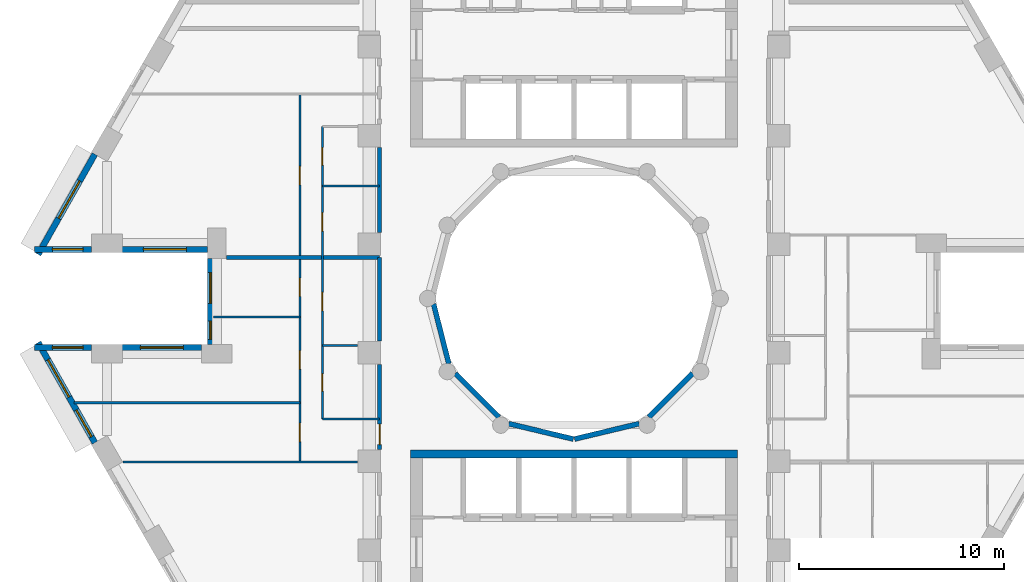
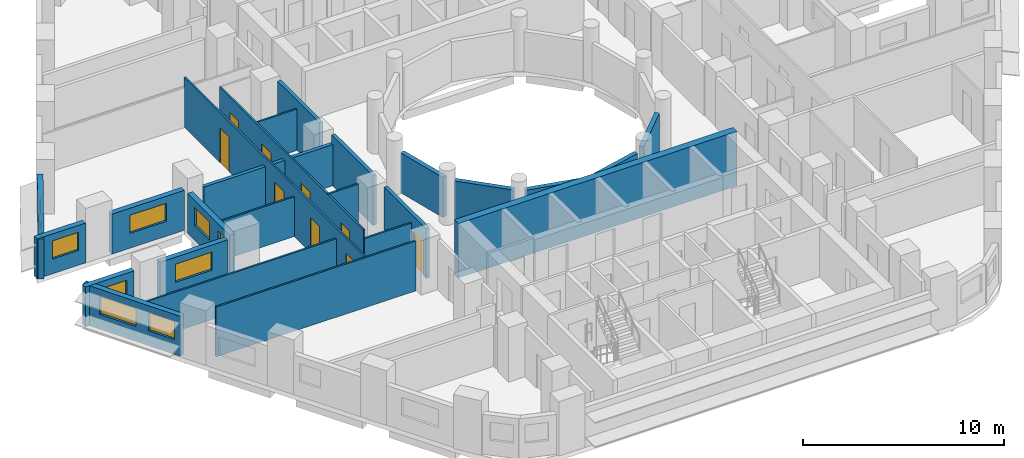
# One storey, part 4 of 12: 25 walls, 9 doors, 9 windows, 18 openings.
"""IFC4 building model written with IfcOpenShell, lengths in metres."""

import ifcopenshell
import ifcopenshell.guid

model = None  # the IFC model being written
_history = None  # IfcOwnerHistory: only IFC2X3 demands one
_inside = {}  # id of a spatial element -> (the spatial element, [elements in it])
_under = {}  # id of a project, library or spatial element -> (it, [spatial elements below it])
_declared = {}  # id of a project -> (the project, [libraries it declares])
_typed = {}  # id of a type object -> (the type object, [elements of that type])
_made_of = {}  # id of a material, layer set ... -> (it, [elements and type objects made of it])


def new_model(schema):
    """Start an empty IFC model of exactly this schema.

    Asked for "IFC4X3", IfcOpenShell would pick the latest addendum, in which some entities
    have other attributes; the version numbers below select the first issue.
    IFC2X3 requires an IfcOwnerHistory on every rooted entity: one is made here for all.
    """
    global model, _history
    if schema == "IFC4X3":
        model = ifcopenshell.file(schema_version=(4, 3, 0, 0))
    else:
        model = ifcopenshell.file(schema=schema)
    _inside.clear()
    _under.clear()
    _declared.clear()
    _typed.clear()
    _made_of.clear()
    _history = None
    if model.schema == "IFC2X3":
        org = make("IfcOrganization", Name="unknown")
        user = make(
            "IfcPersonAndOrganization",
            ThePerson=make("IfcPerson", FamilyName="unknown"),
            TheOrganization=org,
        )
        app = make(
            "IfcApplication",
            ApplicationDeveloper=org,
            Version="unknown",
            ApplicationFullName="unknown",
            ApplicationIdentifier="unknown",
        )
        _history = make(
            "IfcOwnerHistory",
            OwningUser=user,
            OwningApplication=app,
            ChangeAction="ADDED",
            CreationDate=0,
        )
    return model


def make(cls, **values):
    """One entity of the class cls with the attributes given. An attribute that is None is left unset."""
    return model.create_entity(
        cls, **{name: value for name, value in values.items() if value is not None}
    )


def rooted(cls, **values):
    """An entity with a GlobalId (a new one), such as an element, a storey or a relation."""
    return make(cls, GlobalId=ifcopenshell.guid.new(), OwnerHistory=_history, **values)


def si_unit(unit_type, name, prefix=None):
    """IfcSIUnit, for example si_unit("LENGTHUNIT", "METRE", prefix="MILLI")."""
    return make("IfcSIUnit", UnitType=unit_type, Prefix=prefix, Name=name)


def assignment(units):
    """IfcUnitAssignment: the units of a project."""
    return None if units is None else make("IfcUnitAssignment", Units=units)


def point(xyz):
    """IfcCartesianPoint."""
    return None if xyz is None else make("IfcCartesianPoint", Coordinates=xyz)


def direction(xyz):
    """IfcDirection."""
    return None if xyz is None else make("IfcDirection", DirectionRatios=xyz)


def frame(location, z_axis=None, x_axis=None):
    """IfcAxis2Placement3D, a coordinate frame: its origin and axes. An axis left out is left unset."""
    return make(
        "IfcAxis2Placement3D",
        Location=point(location),
        Axis=direction(z_axis),
        RefDirection=direction(x_axis),
    )


def frame_2d(location, x_axis=None):
    """IfcAxis2Placement2D, a coordinate frame in the plane: its origin and x axis."""
    return make(
        "IfcAxis2Placement2D", Location=point(location), RefDirection=direction(x_axis)
    )


def origin():
    """The frame at (0, 0, 0) with its axes left unset."""
    return frame((0.0, 0.0, 0.0))


def place(relative_to, where):
    """IfcLocalPlacement: puts the frame where relative to a parent placement (None: the world)."""
    return make(
        "IfcLocalPlacement", PlacementRelTo=relative_to, RelativePlacement=where
    )


def context(
    kind, dimensions, precision=None, world=None, true_north=None, identifier=None
):
    """IfcGeometricRepresentationContext, for example the 3D "Model" context."""
    return make(
        "IfcGeometricRepresentationContext",
        ContextIdentifier=identifier,
        ContextType=kind,
        CoordinateSpaceDimension=dimensions,
        Precision=precision,
        WorldCoordinateSystem=world,
        TrueNorth=true_north,
    )


def subcontext(parent, identifier, kind, view, scale=None):
    """IfcGeometricRepresentationSubContext, for example "Body" below "Model"."""
    return make(
        "IfcGeometricRepresentationSubContext",
        ContextIdentifier=identifier,
        ContextType=kind,
        ParentContext=parent,
        TargetScale=scale,
        TargetView=view,
    )


def project(units=None, contexts=None):
    """IfcProject with its units and contexts."""
    return rooted(
        "IfcProject",
        Name="project",
        RepresentationContexts=contexts,
        UnitsInContext=assignment(units),
    )


def spatial(cls, under=None, at=None, **own):
    """A site, building, storey or space (cls), placed at a placement, below another one or the project."""
    s = rooted(cls, ObjectPlacement=at, **own)
    if under is not None:
        _under.setdefault(under.id(), (under, []))[1].append(s)
    return s


def profile(cls, at=None, kind="AREA", **sizes):
    """A parametric profile (cls). Its sizes go by their IFC names, for example OverallWidth=200.0."""
    return make(cls, ProfileType=kind, Position=at, **sizes)


def rectangle(**sizes):
    """IfcRectangleProfileDef."""
    return profile("IfcRectangleProfileDef", **sizes)


def extrude(swept, where, along, depth):
    """IfcExtrudedAreaSolid: the profile swept, set in the frame where, extruded along a direction by depth."""
    return make(
        "IfcExtrudedAreaSolid",
        SweptArea=swept,
        Position=where,
        ExtrudedDirection=direction(along),
        Depth=depth,
    )


def shape(context_of_items, identifier, shape_type, items):
    """IfcShapeRepresentation: the items that make up one representation, for example the "Body"."""
    return make(
        "IfcShapeRepresentation",
        ContextOfItems=context_of_items,
        RepresentationIdentifier=identifier,
        RepresentationType=shape_type,
        Items=items,
    )


def material(Name=None, Category=None):
    """IfcMaterial."""
    return make("IfcMaterial", Name=Name, Category=Category)


def layer(
    of_material, thickness, ventilated=None, Name=None, Category=None, Priority=None
):
    """IfcMaterialLayer: one layer of a wall or slab, of a material (None: an air gap)."""
    return make(
        "IfcMaterialLayer",
        Material=of_material,
        LayerThickness=thickness,
        IsVentilated=ventilated,
        Name=Name,
        Category=Category,
        Priority=Priority,
    )


def layer_set(layers, Name=None):
    """IfcMaterialLayerSet."""
    return make("IfcMaterialLayerSet", MaterialLayers=layers, LayerSetName=Name)


def made_of(thing, what):
    """Note that an element or type object is made of a material, layer set ...; save() writes the relation."""
    if what is not None:
        _made_of.setdefault(what.id(), (what, []))[1].append(thing)
    return thing


def type_object(cls, material=None, **own):
    """A type object (cls), such as IfcWallType, which elements share."""
    return made_of(rooted(cls, **own), material)


def element(
    cls,
    number,
    at=None,
    inside=None,
    cuts=None,
    type_object=None,
    material=None,
    context=None,
    identifier="Body",
    shape_type=None,
    held_by="IfcProductDefinitionShape",
    body=None,
    shapes=None,
    **own,
):
    """One element of the class cls, such as IfcWall. Its Tag is "e" and its number.

    at: its placement. inside: the storey or other place that contains it. cuts: it is an
    opening in that element (IfcRelVoidsElement). A single representation is given by context,
    identifier, shape_type and body (its items); several are given by shapes. held_by: the class
    of the entity that holds the representations. save() writes the other relations.
    """
    e = rooted(cls, Tag="e%d" % number, ObjectPlacement=at, **own)
    if body is not None:
        shapes = [shape(context, identifier, shape_type, body)]
    if shapes is not None:
        e.Representation = make(held_by, Representations=shapes)
    if inside is not None:
        _inside.setdefault(inside.id(), (inside, []))[1].append(e)
    if cuts is not None:
        rooted(
            "IfcRelVoidsElement", RelatingBuildingElement=cuts, RelatedOpeningElement=e
        )
    if type_object is not None:
        _typed.setdefault(type_object.id(), (type_object, []))[1].append(e)
    return made_of(e, material)


def fill(opening, filler):
    """IfcRelFillsElement: the door or window that sits in an opening."""
    return rooted(
        "IfcRelFillsElement",
        RelatingOpeningElement=opening,
        RelatedBuildingElement=filler,
    )


def aggregate(whole, parts):
    """IfcRelAggregates: a whole, such as a stair, and the parts it consists of."""
    return rooted("IfcRelAggregates", RelatingObject=whole, RelatedObjects=parts)


def save(model, path):
    """Write the relations noted so far, then the file.

    IfcRelAggregates (storeys below a building ...), IfcRelContainedInSpatialStructure (elements
    in a storey), IfcRelDefinesByType, IfcRelAssociatesMaterial and IfcRelDeclares: one each for
    every whole, place, type object, material and project.
    """
    for whole, parts in _under.values():
        aggregate(whole, parts)
    for where, things in _inside.values():
        rooted(
            "IfcRelContainedInSpatialStructure",
            RelatedElements=things,
            RelatingStructure=where,
        )
    for kind, things in _typed.values():
        rooted("IfcRelDefinesByType", RelatedObjects=things, RelatingType=kind)
    for what, things in _made_of.values():
        rooted("IfcRelAssociatesMaterial", RelatedObjects=things, RelatingMaterial=what)
    for by, libraries in _declared.values():
        rooted("IfcRelDeclares", RelatingContext=by, RelatedDefinitions=libraries)
    model.write(path)


model = new_model("IFC4")

# Units and contexts
model_context = context("Model", 3, precision=1e-05, world=origin(), true_north=direction((0.0, 1.0)))
body_context = subcontext(model_context, "Body", "Model", "MODEL_VIEW")
ifc_project = project(units=[si_unit("LENGTHUNIT", "METRE"), si_unit("AREAUNIT", "SQUARE_METRE"), si_unit("VOLUMEUNIT", "CUBIC_METRE"), si_unit("PLANEANGLEUNIT", "RADIAN"), si_unit("MASSUNIT", "GRAM", prefix="KILO")], contexts=[model_context])

# Site, building, storey
site_placement = place(None, origin())
site = spatial("IfcSite", under=ifc_project, at=site_placement, CompositionType="ELEMENT")
building_placement = place(site_placement, origin())
building = spatial("IfcBuilding", under=site, at=building_placement, Name="Nakaniwa Court", CompositionType="ELEMENT")
storey_placement = place(building_placement, frame((0.0, 0.0, 54.60009765625)))
storey = spatial("IfcBuildingStorey", under=building, at=storey_placement, Name="L14", CompositionType="ELEMENT", Elevation=54.60009765625)

# Wall, opening, door
ifc_material_1 = material(Name="Acoustic double stud partition")
ifc_layer_1 = layer(ifc_material_1, 0.199951171875)
ifc_layer_set_1 = layer_set([ifc_layer_1], Name="Acoustic double stud partition")
wall_type_1 = type_object("IfcWallType", Name="Acoustic double stud partition 200", PredefinedType="PARTITIONING", material=ifc_layer_set_1)
wall_1_placement = place(storey_placement, frame((70.5, 72.616943359375, 0.0), z_axis=(0.0, 0.0, 1.0), x_axis=(0.0, 1.0, 0.0)))
wall_1 = element("IfcWall", 1, at=wall_1_placement, inside=storey, type_object=wall_type_1, Name="Partition PW-104", PredefinedType="PARTITIONING", context=body_context, shape_type="SweptSolid", body=[
    extrude(rectangle(XDim=4.166015625, YDim=0.199951171875, at=frame_2d((2.0830078125, 0.0))), origin(), (0.0, 0.0, 1.0), 3.02490234375),
])
opening_1_placement = place(wall_1_placement, frame((0.242919921875, 0.0, 0.0)))
opening_1 = element("IfcOpeningElement", 2, at=opening_1_placement, cuts=wall_1, Name="Opening D-01-03", PredefinedType="OPENING", context=body_context, shape_type="SweptSolid", body=[
    extrude(rectangle(XDim=1.0, YDim=2.10009765625, at=frame_2d((0.5, 1.050048828125))), frame((0.0, 0.10986328125, 0.0), z_axis=(0.0, -1.0, 0.0), x_axis=(1.0, 0.0, 0.0)), (0.0, 0.0, 1.0), 0.219970703125),
])
ifc_material_2 = material(Name="Solid core timber door set, black veneer", Category="wood")
door_type_1 = type_object("IfcDoorType", Name="Flat entrance door 1000", OperationType="NOTDEFINED", PredefinedType="DOOR", material=ifc_material_2)
door_1_placement = place(opening_1_placement, origin())
door_1 = element("IfcDoor", 3, at=door_1_placement, inside=storey, type_object=door_type_1, Name="Door D-01-03 L14-042", OperationType="SINGLE_SWING_LEFT", OverallHeight=2.10009765625, OverallWidth=1.0, PredefinedType="DOOR", context=body_context, shape_type="SweptSolid", body=[
    extrude(rectangle(XDim=1.0, YDim=2.10009765625, at=frame_2d((0.5, 1.050048828125))), frame((0.0, 0.02490234375, 0.0), z_axis=(0.0, -1.0, 0.0), x_axis=(1.0, 0.0, 0.0)), (0.0, 0.0, 1.0), 0.050048828125),
])
fill(opening_1, door_1)

# Walls
wall_2_placement = place(storey_placement, frame((70.5, 77.9169921875, 0.0), z_axis=(0.0, 0.0, 1.0), x_axis=(0.0, 1.0, 0.0)))
element("IfcWall", 4, at=wall_2_placement, inside=storey, type_object=wall_type_1, Name="Partition PW-105", PredefinedType="PARTITIONING", context=body_context, shape_type="SweptSolid", body=[
    extrude(rectangle(XDim=4.0859375, YDim=0.199951171875, at=frame_2d((2.04296875, 0.0))), origin(), (0.0, 0.0, 1.0), 3.02490234375),
])
wall_3_placement = place(storey_placement, frame((70.5, 83.217041015625, 0.0), z_axis=(0.0, 0.0, 1.0), x_axis=(0.0, 1.0, 0.0)))
element("IfcWall", 5, at=wall_3_placement, inside=storey, type_object=wall_type_1, Name="Partition PW-106", PredefinedType="PARTITIONING", context=body_context, shape_type="SweptSolid", body=[
    extrude(rectangle(XDim=4.166015625, YDim=0.199951171875, at=frame_2d((2.0830078125, 0.0))), origin(), (0.0, 0.0, 1.0), 3.02490234375),
])
wall_4_placement = place(storey_placement, frame((63.01171875, 82.0, 0.0), z_axis=(0.0, 0.0, 1.0), x_axis=(1.0, 0.0, 0.0)))
element("IfcWall", 6, at=wall_4_placement, inside=storey, type_object=wall_type_1, Name="Partition PW-126", PredefinedType="PARTITIONING", context=body_context, shape_type="SweptSolid", body=[
    extrude(rectangle(XDim=7.48828125, YDim=0.199951171875, at=frame_2d((3.744140625, 0.0))), origin(), (0.0, 0.0, 1.0), 2.5048828125),
])

# Wall, opening, window
ifc_material_3 = material(Name="Charcoal ceramic cladding")
ifc_layer_2 = layer(ifc_material_3, 0.02, Name="Ceramic cladding")
ifc_material_4 = material(Name="Ventilated air cavity")
ifc_layer_3 = layer(ifc_material_4, 0.04, ventilated=True, Name="Ventilated cavity")
ifc_material_5 = material(Name="Mineral wool insulation")
ifc_layer_4 = layer(ifc_material_5, 0.1, Name="Insulation")
ifc_material_6 = material(Name="Cement bonded sheathing board")
ifc_layer_5 = layer(ifc_material_6, 0.012, Name="Sheathing")
ifc_material_7 = material(Name="Cold-formed galvanised stud frame with mineral wool infill")
ifc_layer_6 = layer(ifc_material_7, 0.1, Name="Stud frame")
ifc_material_8 = material(Name="Fire-rated gypsum plasterboard lining")
ifc_layer_7 = layer(ifc_material_8, 0.028, Name="Lining")
ifc_layer_set_2 = layer_set([ifc_layer_2, ifc_layer_3, ifc_layer_4, ifc_layer_5, ifc_layer_6, ifc_layer_7], Name="Charcoal ceramic faced external wall system")
wall_type_2 = type_object("IfcWallType", Name="Black ceramic faced external wall 300", PredefinedType="SOLIDWALL", material=ifc_layer_set_2)
wall_5_placement = place(storey_placement, frame((56.584228515625, 87.050537109375, 0.0), z_axis=(0.0, 0.0, 1.0), x_axis=(-0.492363204642, -0.870389840655, 0.0)))
wall_5 = element("IfcWall", 7, at=wall_5_placement, inside=storey, type_object=wall_type_2, Name="L14 external wall 14", PredefinedType="SOLIDWALL", context=body_context, shape_type="SweptSolid", body=[
    extrude(rectangle(XDim=5.62646484375, YDim=0.300048828125, at=frame_2d((2.813232421875, 0.0))), origin(), (0.0, 0.0, 1.0), 2.4248046875),
])
opening_2_placement = place(wall_5_placement, frame((1.5, 0.0, 0.89990234375)))
opening_2 = element("IfcOpeningElement", 8, at=opening_2_placement, cuts=wall_5, Name="Opening W7.13", PredefinedType="OPENING", context=body_context, shape_type="SweptSolid", body=[
    extrude(rectangle(XDim=2.10009765625, YDim=1.10009765625, at=frame_2d((1.050048828125, 0.550048828125))), frame((0.0, 0.159912109375, 0.0), z_axis=(0.0, -1.0, 0.0), x_axis=(1.0, 0.0, 0.0)), (0.0, 0.0, 1.0), 0.320068359375),
])
ifc_material_9 = material(Name="Black anodised aluminium frame with dark low-E laminated double glazing", Category="aluminium")
window_type_1 = type_object("IfcWindowType", Name="Dark glass window 2100x1100 sill 900", PartitioningType="SINGLE_PANEL", PredefinedType="WINDOW", material=ifc_material_9)
window_1_placement = place(opening_2_placement, origin())
window_1 = element("IfcWindow", 9, at=window_1_placement, inside=storey, type_object=window_type_1, Name="L14 living window 14-0", OverallHeight=1.10009765625, OverallWidth=2.10009765625, PartitioningType="SINGLE_PANEL", PredefinedType="WINDOW", context=body_context, shape_type="SweptSolid", body=[
    extrude(rectangle(XDim=2.10009765625, YDim=1.10009765625, at=frame_2d((1.050048828125, 0.550048828125))), frame((0.0, 0.030029296875, 0.0), z_axis=(0.0, -1.0, 0.0), x_axis=(1.0, 0.0, 0.0)), (0.0, 0.0, 1.0), 0.06005859375),
])
fill(opening_2, window_1)

wall_6_placement = place(storey_placement, frame((53.643310546875, 82.39990234375, 0.0), z_axis=(0.0, 0.0, 1.0), x_axis=(1.0, 0.0, 0.0)))
wall_6 = element("IfcWall", 10, at=wall_6_placement, inside=storey, type_object=wall_type_2, Name="L14 external wall 15", PredefinedType="SOLIDWALL", context=body_context, shape_type="SweptSolid", body=[
    extrude(rectangle(XDim=2.787841796875, YDim=0.300048828125, at=frame_2d((1.39404296875, 0.0))), origin(), (0.0, 0.0, 1.0), 2.4248046875),
])
opening_3_placement = place(wall_6_placement, frame((0.868896484375, 0.0, 0.89990234375)))
opening_3 = element("IfcOpeningElement", 11, at=opening_3_placement, cuts=wall_6, Name="Opening W5.14", PredefinedType="OPENING", context=body_context, shape_type="SweptSolid", body=[
    extrude(rectangle(XDim=1.5, YDim=1.10009765625, at=frame_2d((0.75, 0.550048828125))), frame((0.0, 0.159912109375, 0.0), z_axis=(0.0, -1.0, 0.0), x_axis=(1.0, 0.0, 0.0)), (0.0, 0.0, 1.0), 0.320068359375),
])
window_type_2 = type_object("IfcWindowType", Name="Dark glass window 1500x1100 sill 900", PartitioningType="SINGLE_PANEL", PredefinedType="WINDOW", material=ifc_material_9)
window_2_placement = place(opening_3_placement, origin())
window_2 = element("IfcWindow", 12, at=window_2_placement, inside=storey, type_object=window_type_2, Name="L14 living window 15-0", OverallHeight=1.10009765625, OverallWidth=1.5, PartitioningType="SINGLE_PANEL", PredefinedType="WINDOW", context=body_context, shape_type="SweptSolid", body=[
    extrude(rectangle(XDim=1.5, YDim=1.10009765625, at=frame_2d((0.75, 0.550048828125))), frame((0.0, 0.030029296875, 0.0), z_axis=(0.0, -1.0, 0.0), x_axis=(1.0, 0.0, 0.0)), (0.0, 0.0, 1.0), 0.06005859375),
])
fill(opening_3, window_2)

wall_7_placement = place(storey_placement, frame((57.923095703125, 82.39990234375, 0.0), z_axis=(0.0, 0.0, 1.0), x_axis=(1.0, 0.0, 0.0)))
wall_7 = element("IfcWall", 13, at=wall_7_placement, inside=storey, type_object=wall_type_2, Name="L14 external wall 16", PredefinedType="SOLIDWALL", context=body_context, shape_type="SweptSolid", body=[
    extrude(rectangle(XDim=4.172607421875, YDim=0.300048828125, at=frame_2d((2.08642578125, 0.0))), origin(), (0.0, 0.0, 1.0), 2.4248046875),
])
opening_4_placement = place(wall_7_placement, frame((1.036376953125, 0.0, 0.89990234375)))
opening_4 = element("IfcOpeningElement", 14, at=opening_4_placement, cuts=wall_7, Name="Opening W7.15", PredefinedType="OPENING", context=body_context, shape_type="SweptSolid", body=[
    extrude(rectangle(XDim=2.10009765625, YDim=1.10009765625, at=frame_2d((1.050048828125, 0.550048828125))), frame((0.0, 0.159912109375, 0.0), z_axis=(0.0, -1.0, 0.0), x_axis=(1.0, 0.0, 0.0)), (0.0, 0.0, 1.0), 0.320068359375),
])
window_3_placement = place(opening_4_placement, origin())
window_3 = element("IfcWindow", 15, at=window_3_placement, inside=storey, type_object=window_type_1, Name="L14 living window 16-0", OverallHeight=1.10009765625, OverallWidth=2.10009765625, PartitioningType="SINGLE_PANEL", PredefinedType="WINDOW", context=body_context, shape_type="SweptSolid", body=[
    extrude(rectangle(XDim=2.10009765625, YDim=1.10009765625, at=frame_2d((1.050048828125, 0.550048828125))), frame((0.0, 0.030029296875, 0.0), z_axis=(0.0, -1.0, 0.0), x_axis=(1.0, 0.0, 0.0)), (0.0, 0.0, 1.0), 0.06005859375),
])
fill(opening_4, window_3)

# Wall, openings, windows
wall_8_placement = place(storey_placement, frame((62.24169921875, 81.9541015625, 0.0), z_axis=(0.0, 0.0, 1.0), x_axis=(0.0, -1.0, 0.0)))
wall_8 = element("IfcWall", 16, at=wall_8_placement, inside=storey, type_object=wall_type_2, Name="L14 external wall 17", PredefinedType="SOLIDWALL", context=body_context, shape_type="SweptSolid", body=[
    extrude(rectangle(XDim=4.2080078125, YDim=0.300048828125, at=frame_2d((2.10400390625, 0.0))), origin(), (0.0, 0.0, 1.0), 2.4248046875),
])
opening_5_placement = place(wall_8_placement, frame((0.690673828125, 0.0, 0.89990234375)))
opening_5 = element("IfcOpeningElement", 17, at=opening_5_placement, cuts=wall_8, Name="Opening W5.16", PredefinedType="OPENING", context=body_context, shape_type="SweptSolid", body=[
    extrude(rectangle(XDim=1.5, YDim=1.10009765625, at=frame_2d((0.75, 0.550048828125))), frame((0.0, 0.159912109375, 0.0), z_axis=(0.0, -1.0, 0.0), x_axis=(1.0, 0.0, 0.0)), (0.0, 0.0, 1.0), 0.320068359375),
])
opening_6_placement = place(wall_8_placement, frame((3.0576171875, 0.0, 0.89990234375)))
opening_6 = element("IfcOpeningElement", 18, at=opening_6_placement, cuts=wall_8, Name="Opening W9.17", PredefinedType="OPENING", context=body_context, shape_type="SweptSolid", body=[
    extrude(rectangle(XDim=0.89990234375, YDim=1.10009765625, at=frame_2d((0.449951171875, 0.550048828125))), frame((0.0, 0.159912109375, 0.0), z_axis=(0.0, -1.0, 0.0), x_axis=(1.0, 0.0, 0.0)), (0.0, 0.0, 1.0), 0.320068359375),
])
window_4_placement = place(opening_5_placement, origin())
window_4 = element("IfcWindow", 19, at=window_4_placement, inside=storey, type_object=window_type_2, Name="L14 bedroom window 17-0", OverallHeight=1.10009765625, OverallWidth=1.5, PartitioningType="SINGLE_PANEL", PredefinedType="WINDOW", context=body_context, shape_type="SweptSolid", body=[
    extrude(rectangle(XDim=1.5, YDim=1.10009765625, at=frame_2d((0.75, 0.550048828125))), frame((0.0, 0.030029296875, 0.0), z_axis=(0.0, -1.0, 0.0), x_axis=(1.0, 0.0, 0.0)), (0.0, 0.0, 1.0), 0.06005859375),
])
fill(opening_5, window_4)
window_type_3 = type_object("IfcWindowType", Name="Dark glass window 900x1100 sill 900", PartitioningType="SINGLE_PANEL", PredefinedType="WINDOW", material=ifc_material_9)
window_5_placement = place(opening_6_placement, origin())
window_5 = element("IfcWindow", 20, at=window_5_placement, inside=storey, type_object=window_type_3, Name="L14 living window 17-1", OverallHeight=1.10009765625, OverallWidth=0.89990234375, PartitioningType="SINGLE_PANEL", PredefinedType="WINDOW", context=body_context, shape_type="SweptSolid", body=[
    extrude(rectangle(XDim=0.89990234375, YDim=1.10009765625, at=frame_2d((0.449951171875, 0.550048828125))), frame((0.0, 0.030029296875, 0.0), z_axis=(0.0, -1.0, 0.0), x_axis=(1.0, 0.0, 0.0)), (0.0, 0.0, 1.0), 0.06005859375),
])
fill(opening_6, window_5)

# Wall, opening, window
wall_9_placement = place(storey_placement, frame((61.795654296875, 77.60009765625, 0.0), z_axis=(0.0, 0.0, 1.0), x_axis=(-1.0, 0.0, 0.0)))
wall_9 = element("IfcWall", 21, at=wall_9_placement, inside=storey, type_object=wall_type_2, Name="L14 external wall 18", PredefinedType="SOLIDWALL", context=body_context, shape_type="SweptSolid", body=[
    extrude(rectangle(XDim=3.87255859375, YDim=0.300048828125, at=frame_2d((1.936279296875, 0.0))), origin(), (0.0, 0.0, 1.0), 2.4248046875),
])
opening_7_placement = place(wall_9_placement, frame((0.88623046875, 0.0, 0.89990234375)))
opening_7 = element("IfcOpeningElement", 22, at=opening_7_placement, cuts=wall_9, Name="Opening W7.18", PredefinedType="OPENING", context=body_context, shape_type="SweptSolid", body=[
    extrude(rectangle(XDim=2.10009765625, YDim=1.10009765625, at=frame_2d((1.050048828125, 0.550048828125))), frame((0.0, 0.159912109375, 0.0), z_axis=(0.0, -1.0, 0.0), x_axis=(1.0, 0.0, 0.0)), (0.0, 0.0, 1.0), 0.320068359375),
])
window_6_placement = place(opening_7_placement, origin())
window_6 = element("IfcWindow", 23, at=window_6_placement, inside=storey, type_object=window_type_1, Name="L14 living window 18-0", OverallHeight=1.10009765625, OverallWidth=2.10009765625, PartitioningType="SINGLE_PANEL", PredefinedType="WINDOW", context=body_context, shape_type="SweptSolid", body=[
    extrude(rectangle(XDim=2.10009765625, YDim=1.10009765625, at=frame_2d((1.050048828125, 0.550048828125))), frame((0.0, 0.030029296875, 0.0), z_axis=(0.0, -1.0, 0.0), x_axis=(1.0, 0.0, 0.0)), (0.0, 0.0, 1.0), 0.06005859375),
])
fill(opening_7, window_6)

wall_10_placement = place(storey_placement, frame((56.43115234375, 77.60009765625, 0.0), z_axis=(0.0, 0.0, 1.0), x_axis=(-1.0, 0.0, 0.0)))
wall_10 = element("IfcWall", 24, at=wall_10_placement, inside=storey, type_object=wall_type_2, Name="L14 external wall 19", PredefinedType="SOLIDWALL", context=body_context, shape_type="SweptSolid", body=[
    extrude(rectangle(XDim=2.787841796875, YDim=0.300048828125, at=frame_2d((1.39404296875, 0.0))), origin(), (0.0, 0.0, 1.0), 2.4248046875),
])
opening_8_placement = place(wall_10_placement, frame((0.4189453125, 0.0, 0.89990234375)))
opening_8 = element("IfcOpeningElement", 25, at=opening_8_placement, cuts=wall_10, Name="Opening W5.19", PredefinedType="OPENING", context=body_context, shape_type="SweptSolid", body=[
    extrude(rectangle(XDim=1.5, YDim=1.10009765625, at=frame_2d((0.75, 0.550048828125))), frame((0.0, 0.159912109375, 0.0), z_axis=(0.0, -1.0, 0.0), x_axis=(1.0, 0.0, 0.0)), (0.0, 0.0, 1.0), 0.320068359375),
])
window_7_placement = place(opening_8_placement, origin())
window_7 = element("IfcWindow", 26, at=window_7_placement, inside=storey, type_object=window_type_2, Name="L14 living window 19-0", OverallHeight=1.10009765625, OverallWidth=1.5, PartitioningType="SINGLE_PANEL", PredefinedType="WINDOW", context=body_context, shape_type="SweptSolid", body=[
    extrude(rectangle(XDim=1.5, YDim=1.10009765625, at=frame_2d((0.75, 0.550048828125))), frame((0.0, 0.030029296875, 0.0), z_axis=(0.0, -1.0, 0.0), x_axis=(1.0, 0.0, 0.0)), (0.0, 0.0, 1.0), 0.06005859375),
])
fill(opening_8, window_7)

# Wall, openings, windows
wall_11_placement = place(storey_placement, frame((53.81396484375, 77.8466796875, 0.0), z_axis=(0.0, 0.0, 1.0), x_axis=(0.492363204642, -0.870389840655, 0.0)))
wall_11 = element("IfcWall", 27, at=wall_11_placement, inside=storey, type_object=wall_type_2, Name="L14 external wall 20", PredefinedType="SOLIDWALL", context=body_context, shape_type="SweptSolid", body=[
    extrude(rectangle(XDim=5.62646484375, YDim=0.300048828125, at=frame_2d((2.813232421875, 0.0))), origin(), (0.0, 0.0, 1.0), 2.4248046875),
])
opening_9_placement = place(wall_11_placement, frame((0.96484375, 0.0, 0.89990234375)))
opening_9 = element("IfcOpeningElement", 28, at=opening_9_placement, cuts=wall_11, Name="Opening W7.20", PredefinedType="OPENING", context=body_context, shape_type="SweptSolid", body=[
    extrude(rectangle(XDim=2.10009765625, YDim=1.10009765625, at=frame_2d((1.050048828125, 0.550048828125))), frame((0.0, 0.159912109375, 0.0), z_axis=(0.0, -1.0, 0.0), x_axis=(1.0, 0.0, 0.0)), (0.0, 0.0, 1.0), 0.320068359375),
])
opening_10_placement = place(wall_11_placement, frame((3.789306640625, 0.0, 0.89990234375)))
opening_10 = element("IfcOpeningElement", 29, at=opening_10_placement, cuts=wall_11, Name="Opening W5.21", PredefinedType="OPENING", context=body_context, shape_type="SweptSolid", body=[
    extrude(rectangle(XDim=1.5, YDim=1.10009765625, at=frame_2d((0.75, 0.550048828125))), frame((0.0, 0.159912109375, 0.0), z_axis=(0.0, -1.0, 0.0), x_axis=(1.0, 0.0, 0.0)), (0.0, 0.0, 1.0), 0.320068359375),
])
window_8_placement = place(opening_10_placement, origin())
window_8 = element("IfcWindow", 30, at=window_8_placement, inside=storey, type_object=window_type_2, Name="L14 bedroom window 20-1", OverallHeight=1.10009765625, OverallWidth=1.5, PartitioningType="SINGLE_PANEL", PredefinedType="WINDOW", context=body_context, shape_type="SweptSolid", body=[
    extrude(rectangle(XDim=1.5, YDim=1.10009765625, at=frame_2d((0.75, 0.550048828125))), frame((0.0, 0.030029296875, 0.0), z_axis=(0.0, -1.0, 0.0), x_axis=(1.0, 0.0, 0.0)), (0.0, 0.0, 1.0), 0.06005859375),
])
fill(opening_10, window_8)
window_9_placement = place(opening_9_placement, origin())
window_9 = element("IfcWindow", 31, at=window_9_placement, inside=storey, type_object=window_type_1, Name="L14 living window 20-0", OverallHeight=1.10009765625, OverallWidth=2.10009765625, PartitioningType="SINGLE_PANEL", PredefinedType="WINDOW", context=body_context, shape_type="SweptSolid", body=[
    extrude(rectangle(XDim=2.10009765625, YDim=1.10009765625, at=frame_2d((1.050048828125, 0.550048828125))), frame((0.0, 0.030029296875, 0.0), z_axis=(0.0, -1.0, 0.0), x_axis=(1.0, 0.0, 0.0)), (0.0, 0.0, 1.0), 0.06005859375),
])
fill(opening_9, window_9)

# Walls
ifc_layer_8 = layer(ifc_material_3, 0.02, Name="Ceramic cladding")
ifc_layer_9 = layer(ifc_material_4, 0.04, ventilated=True, Name="Ventilated cavity")
ifc_layer_10 = layer(ifc_material_5, 0.075, Name="Insulation")
ifc_layer_11 = layer(ifc_material_6, 0.012, Name="Sheathing")
ifc_layer_12 = layer(ifc_material_7, 0.075, Name="Stud frame")
ifc_layer_13 = layer(ifc_material_8, 0.028, Name="Lining")
ifc_layer_set_3 = layer_set([ifc_layer_8, ifc_layer_9, ifc_layer_10, ifc_layer_11, ifc_layer_12, ifc_layer_13], Name="Charcoal ceramic faced external wall system")
wall_type_3 = type_object("IfcWallType", Name="Charcoal ceramic faced well wall 250", PredefinedType="SOLIDWALL", material=ifc_layer_set_3)
wall_12_placement = place(storey_placement, frame((85.8056640625, 76.339111328125, 0.0), z_axis=(0.0, 0.0, 1.0), x_axis=(-0.707106781187, -0.707106781187, 0.0)))
element("IfcWall", 32, at=wall_12_placement, inside=storey, type_object=wall_type_3, Name="L14 external wall 37", PredefinedType="SOLIDWALL", context=body_context, shape_type="SweptSolid", body=[
    extrude(rectangle(XDim=3.033203125, YDim=0.25, at=frame_2d((1.5166015625, 0.0))), origin(), (0.0, 0.0, 1.0), 2.4248046875),
])
for number, where, z_axis, x_axis, name in (
    (33, (83.186279296875, 73.880615234375, 0.0), (0.0, 0.0, 1.0), (-0.972773113459, -0.231759508395, 0.0), "L14 external wall 38"),
    (34, (79.970947265625, 73.12841796875, 0.0), (0.0, 0.0, 1.0), (-0.972773113459, 0.231759508395, 0.0), "L14 external wall 39"),
):
    element("IfcWall", number, at=place(storey_placement, frame(where, z_axis=z_axis, x_axis=x_axis)), inside=storey, type_object=wall_type_3, Name=name, PredefinedType="SOLIDWALL", context=body_context, shape_type="SweptSolid", body=[
        extrude(rectangle(XDim=3.24560546875, YDim=0.25, at=frame_2d((1.622802734375, 0.0))), origin(), (0.0, 0.0, 1.0), 2.4248046875),
    ])
wall_13_placement = place(storey_placement, frame((76.339111328125, 74.1943359375, 0.0), z_axis=(0.0, 0.0, 1.0), x_axis=(-0.707106781187, 0.707106781187, 0.0)))
element("IfcWall", 35, at=wall_13_placement, inside=storey, type_object=wall_type_3, Name="L14 external wall 40", PredefinedType="SOLIDWALL", context=body_context, shape_type="SweptSolid", body=[
    extrude(rectangle(XDim=3.033203125, YDim=0.25, at=frame_2d((1.5166015625, 0.0))), origin(), (0.0, 0.0, 1.0), 2.4248046875),
])
wall_14_placement = place(storey_placement, frame((73.88330078125, 76.813232421875, 0.0), z_axis=(0.0, 0.0, 1.0), x_axis=(-0.247055971283, 0.969001211069, 0.0)))
element("IfcWall", 36, at=wall_14_placement, inside=storey, type_object=wall_type_3, Name="L14 external wall 41", PredefinedType="SOLIDWALL", context=body_context, shape_type="SweptSolid", body=[
    extrude(rectangle(XDim=3.010009765625, YDim=0.25, at=frame_2d((1.5048828125, 0.0))), origin(), (0.0, 0.0, 1.0), 2.4248046875),
])
ifc_material_10 = material(Name="Concrete C100/115", Category="concrete")
ifc_layer_14 = layer(ifc_material_10, 0.39990234375)
ifc_layer_set_4 = layer_set([ifc_layer_14], Name="Concrete C100/115")
wall_type_4 = type_object("IfcWallType", Name="Concrete core well wall 400 C100", PredefinedType="SHEAR", material=ifc_layer_set_4)
wall_15_placement = place(storey_placement, frame((72.00390625, 72.39990234375, -0.275146484375), z_axis=(0.0, 0.0, 1.0), x_axis=(1.0, 0.0, 0.0)))
element("IfcWall", 37, at=wall_15_placement, inside=storey, type_object=wall_type_4, Name="Core wall SW-135", PredefinedType="SHEAR", context=body_context, shape_type="SweptSolid", body=[
    extrude(rectangle(XDim=15.9921875, YDim=0.39990234375, at=frame_2d((7.99609375, 0.0))), origin(), (0.0, 0.0, 1.0), 3.300048828125),
])
ifc_material_11 = material(Name="Single stud plasterboard partition")
ifc_layer_15 = layer(ifc_material_11, 0.10009765625)
ifc_layer_set_5 = layer_set([ifc_layer_15], Name="Single stud plasterboard partition")
wall_type_5 = type_object("IfcWallType", Name="Single stud plasterboard partition 100", PredefinedType="PARTITIONING", material=ifc_layer_set_5)
wall_16_placement = place(storey_placement, frame((67.699951171875, 74.10009765625, 0.0), z_axis=(0.0, 0.0, 1.0), x_axis=(1.0, 0.0, 0.0)))
element("IfcWall", 38, at=wall_16_placement, inside=storey, type_object=wall_type_5, Name="Partition PW-116", PredefinedType="PARTITIONING", context=body_context, shape_type="SweptSolid", body=[
    extrude(rectangle(XDim=2.800048828125, YDim=0.10009765625, at=frame_2d((1.39990234375, 0.0))), origin(), (0.0, 0.0, 1.0), 2.5048828125),
])
wall_17_placement = place(storey_placement, frame((57.96826171875, 72.0, 0.0), z_axis=(0.0, 0.0, 1.0), x_axis=(1.0, 0.0, 0.0)))
element("IfcWall", 39, at=wall_17_placement, inside=storey, type_object=wall_type_5, Name="Partition PW-123", PredefinedType="PARTITIONING", context=body_context, shape_type="SweptSolid", body=[
    extrude(rectangle(XDim=11.461669921875, YDim=0.10009765625, at=frame_2d((5.73095703125, 0.0))), origin(), (0.0, 0.0, 1.0), 3.02490234375),
])
wall_18_placement = place(storey_placement, frame((67.699951171875, 77.69091796875, 0.0), z_axis=(0.0, 0.0, 1.0), x_axis=(1.0, 0.0, 0.0)))
element("IfcWall", 40, at=wall_18_placement, inside=storey, type_object=wall_type_5, Name="Partition PW-124", PredefinedType="PARTITIONING", context=body_context, shape_type="SweptSolid", body=[
    extrude(rectangle(XDim=1.72998046875, YDim=0.10009765625, at=frame_2d((0.864990234375, 0.0))), origin(), (0.0, 0.0, 1.0), 3.02490234375),
])

# Wall, openings, doors
wall_19_placement = place(storey_placement, frame((67.699951171875, 88.39990234375, 0.0), z_axis=(0.0, 0.0, 1.0), x_axis=(0.0, -1.0, 0.0)))
wall_19 = element("IfcWall", 41, at=wall_19_placement, inside=storey, type_object=wall_type_5, Name="Partition PW-125", PredefinedType="PARTITIONING", context=body_context, shape_type="SweptSolid", body=[
    extrude(rectangle(XDim=14.2998046875, YDim=0.10009765625, at=frame_2d((7.14990234375, 0.0))), origin(), (0.0, 0.0, 1.0), 3.02490234375),
])
opening_11_placement = place(wall_19_placement, frame((12.080078125, 0.0, 0.0)))
opening_11 = element("IfcOpeningElement", 42, at=opening_11_placement, cuts=wall_19, Name="Opening D-03-03", PredefinedType="OPENING", context=body_context, shape_type="SweptSolid", body=[
    extrude(rectangle(XDim=0.85009765625, YDim=2.10009765625, at=frame_2d((0.425048828125, 1.050048828125))), frame((0.0, 0.06005859375, 0.0), z_axis=(0.0, -1.0, 0.0), x_axis=(1.0, 0.0, 0.0)), (0.0, 0.0, 1.0), 0.1201171875),
])
opening_12_placement = place(wall_19_placement, frame((8.10498046875, 0.0, 0.0)))
opening_12 = element("IfcOpeningElement", 43, at=opening_12_placement, cuts=wall_19, Name="Opening D-33-07", PredefinedType="OPENING", context=body_context, shape_type="SweptSolid", body=[
    extrude(rectangle(XDim=0.89990234375, YDim=2.10009765625, at=frame_2d((0.449951171875, 1.050048828125))), frame((0.0, 0.06005859375, 0.0), z_axis=(0.0, -1.0, 0.0), x_axis=(1.0, 0.0, 0.0)), (0.0, 0.0, 1.0), 0.1201171875),
])
opening_13_placement = place(wall_19_placement, frame((4.205078125, 0.0, 0.0)))
opening_13 = element("IfcOpeningElement", 44, at=opening_13_placement, cuts=wall_19, Name="Opening D-33-11", PredefinedType="OPENING", context=body_context, shape_type="SweptSolid", body=[
    extrude(rectangle(XDim=0.89990234375, YDim=2.10009765625, at=frame_2d((0.449951171875, 1.050048828125))), frame((0.0, 0.06005859375, 0.0), z_axis=(0.0, -1.0, 0.0), x_axis=(1.0, 0.0, 0.0)), (0.0, 0.0, 1.0), 0.1201171875),
])
opening_14_placement = place(wall_19_placement, frame((1.030029296875, 0.0, 0.0)))
opening_14 = element("IfcOpeningElement", 45, at=opening_14_placement, cuts=wall_19, Name="Opening D-03-04", PredefinedType="OPENING", context=body_context, shape_type="SweptSolid", body=[
    extrude(rectangle(XDim=0.85009765625, YDim=2.10009765625, at=frame_2d((0.425048828125, 1.050048828125))), frame((0.0, 0.06005859375, 0.0), z_axis=(0.0, -1.0, 0.0), x_axis=(1.0, 0.0, 0.0)), (0.0, 0.0, 1.0), 0.1201171875),
])
ifc_material_12 = material(Name="Moisture sealed timber door set", Category="wood")
door_type_2 = type_object("IfcDoorType", Name="Bathroom door 850", OperationType="NOTDEFINED", PredefinedType="DOOR", material=ifc_material_12)
door_2_placement = place(opening_11_placement, origin())
door_2 = element("IfcDoor", 46, at=door_2_placement, inside=storey, type_object=door_type_2, Name="Door D-03-03 L14-043", OperationType="SINGLE_SWING_RIGHT", OverallHeight=2.10009765625, OverallWidth=0.85009765625, PredefinedType="DOOR", context=body_context, shape_type="SweptSolid", body=[
    extrude(rectangle(XDim=0.85009765625, YDim=2.10009765625, at=frame_2d((0.425048828125, 1.050048828125))), frame((0.0, 0.02490234375, 0.0), z_axis=(0.0, -1.0, 0.0), x_axis=(1.0, 0.0, 0.0)), (0.0, 0.0, 1.0), 0.050048828125),
])
fill(opening_11, door_2)
door_3_placement = place(opening_14_placement, origin())
door_3 = element("IfcDoor", 47, at=door_3_placement, inside=storey, type_object=door_type_2, Name="Door D-03-04 L14-050", OperationType="SINGLE_SWING_LEFT", OverallHeight=2.10009765625, OverallWidth=0.85009765625, PredefinedType="DOOR", context=body_context, shape_type="SweptSolid", body=[
    extrude(rectangle(XDim=0.85009765625, YDim=2.10009765625, at=frame_2d((0.425048828125, 1.050048828125))), frame((0.0, 0.02490234375, 0.0), z_axis=(0.0, -1.0, 0.0), x_axis=(1.0, 0.0, 0.0)), (0.0, 0.0, 1.0), 0.050048828125),
])
fill(opening_14, door_3)
door_type_3 = type_object("IfcDoorType", Name="Internal door 900", OperationType="NOTDEFINED", PredefinedType="DOOR", material=ifc_material_2)
door_4_placement = place(opening_12_placement, origin())
door_4 = element("IfcDoor", 48, at=door_4_placement, inside=storey, type_object=door_type_3, Name="Door D-33-07 L14-044", OperationType="SINGLE_SWING_LEFT", OverallHeight=2.10009765625, OverallWidth=0.89990234375, PredefinedType="DOOR", context=body_context, shape_type="SweptSolid", body=[
    extrude(rectangle(XDim=0.89990234375, YDim=2.10009765625, at=frame_2d((0.449951171875, 1.050048828125))), frame((0.0, 0.02490234375, 0.0), z_axis=(0.0, -1.0, 0.0), x_axis=(1.0, 0.0, 0.0)), (0.0, 0.0, 1.0), 0.050048828125),
])
fill(opening_12, door_4)
door_5_placement = place(opening_13_placement, origin())
door_5 = element("IfcDoor", 49, at=door_5_placement, inside=storey, type_object=door_type_3, Name="Door D-33-11 L14-049", OperationType="SINGLE_SWING_RIGHT", OverallHeight=2.10009765625, OverallWidth=0.89990234375, PredefinedType="DOOR", context=body_context, shape_type="SweptSolid", body=[
    extrude(rectangle(XDim=0.89990234375, YDim=2.10009765625, at=frame_2d((0.449951171875, 1.050048828125))), frame((0.0, 0.02490234375, 0.0), z_axis=(0.0, -1.0, 0.0), x_axis=(1.0, 0.0, 0.0)), (0.0, 0.0, 1.0), 0.050048828125),
])
fill(opening_13, door_5)

wall_20_placement = place(storey_placement, frame((66.60009765625, 72.0, 0.0), z_axis=(0.0, 0.0, 1.0), x_axis=(0.0, 1.0, 0.0)))
wall_20 = element("IfcWall", 50, at=wall_20_placement, inside=storey, type_object=wall_type_5, Name="Partition PW-127", PredefinedType="PARTITIONING", context=body_context, shape_type="SweptSolid", body=[
    extrude(rectangle(XDim=18.0, YDim=0.10009765625, at=frame_2d((9.0, 0.0))), origin(), (0.0, 0.0, 1.0), 3.02490234375),
])
opening_15_placement = place(wall_20_placement, frame((1.001953125, 0.0, 0.0)))
opening_15 = element("IfcOpeningElement", 51, at=opening_15_placement, cuts=wall_20, Name="Opening D-33-08", PredefinedType="OPENING", context=body_context, shape_type="SweptSolid", body=[
    extrude(rectangle(XDim=0.89990234375, YDim=2.10009765625, at=frame_2d((0.449951171875, 1.050048828125))), frame((0.0, 0.06005859375, 0.0), z_axis=(0.0, -1.0, 0.0), x_axis=(1.0, 0.0, 0.0)), (0.0, 0.0, 1.0), 0.1201171875),
])
opening_16_placement = place(wall_20_placement, frame((4.550048828125, 0.0, 0.0)))
opening_16 = element("IfcOpeningElement", 52, at=opening_16_placement, cuts=wall_20, Name="Opening D-33-09", PredefinedType="OPENING", context=body_context, shape_type="SweptSolid", body=[
    extrude(rectangle(XDim=0.89990234375, YDim=2.10009765625, at=frame_2d((0.449951171875, 1.050048828125))), frame((0.0, 0.06005859375, 0.0), z_axis=(0.0, -1.0, 0.0), x_axis=(1.0, 0.0, 0.0)), (0.0, 0.0, 1.0), 0.1201171875),
])
opening_17_placement = place(wall_20_placement, frame((8.097900390625, 0.0, 0.0)))
opening_17 = element("IfcOpeningElement", 53, at=opening_17_placement, cuts=wall_20, Name="Opening D-33-10", PredefinedType="OPENING", context=body_context, shape_type="SweptSolid", body=[
    extrude(rectangle(XDim=0.89990234375, YDim=2.10009765625, at=frame_2d((0.449951171875, 1.050048828125))), frame((0.0, 0.06005859375, 0.0), z_axis=(0.0, -1.0, 0.0), x_axis=(1.0, 0.0, 0.0)), (0.0, 0.0, 1.0), 0.1201171875),
])
opening_18_placement = place(wall_20_placement, frame((13.550048828125, 0.0, 0.0)))
opening_18 = element("IfcOpeningElement", 54, at=opening_18_placement, cuts=wall_20, Name="Opening D-33-12", PredefinedType="OPENING", context=body_context, shape_type="SweptSolid", body=[
    extrude(rectangle(XDim=0.89990234375, YDim=2.10009765625, at=frame_2d((0.449951171875, 1.050048828125))), frame((0.0, 0.06005859375, 0.0), z_axis=(0.0, -1.0, 0.0), x_axis=(1.0, 0.0, 0.0)), (0.0, 0.0, 1.0), 0.1201171875),
])
door_6_placement = place(opening_15_placement, origin())
door_6 = element("IfcDoor", 55, at=door_6_placement, inside=storey, type_object=door_type_3, Name="Door D-33-08 L14-045", OperationType="SINGLE_SWING_RIGHT", OverallHeight=2.10009765625, OverallWidth=0.89990234375, PredefinedType="DOOR", context=body_context, shape_type="SweptSolid", body=[
    extrude(rectangle(XDim=0.89990234375, YDim=2.10009765625, at=frame_2d((0.449951171875, 1.050048828125))), frame((0.0, 0.02490234375, 0.0), z_axis=(0.0, -1.0, 0.0), x_axis=(1.0, 0.0, 0.0)), (0.0, 0.0, 1.0), 0.050048828125),
])
fill(opening_15, door_6)
door_7_placement = place(opening_16_placement, origin())
door_7 = element("IfcDoor", 56, at=door_7_placement, inside=storey, type_object=door_type_3, Name="Door D-33-09 L14-046", OperationType="SINGLE_SWING_LEFT", OverallHeight=2.10009765625, OverallWidth=0.89990234375, PredefinedType="DOOR", context=body_context, shape_type="SweptSolid", body=[
    extrude(rectangle(XDim=0.89990234375, YDim=2.10009765625, at=frame_2d((0.449951171875, 1.050048828125))), frame((0.0, 0.02490234375, 0.0), z_axis=(0.0, -1.0, 0.0), x_axis=(1.0, 0.0, 0.0)), (0.0, 0.0, 1.0), 0.050048828125),
])
fill(opening_16, door_7)
door_8_placement = place(opening_17_placement, origin())
door_8 = element("IfcDoor", 57, at=door_8_placement, inside=storey, type_object=door_type_3, Name="Door D-33-10 L14-047", OperationType="SINGLE_SWING_RIGHT", OverallHeight=2.10009765625, OverallWidth=0.89990234375, PredefinedType="DOOR", context=body_context, shape_type="SweptSolid", body=[
    extrude(rectangle(XDim=0.89990234375, YDim=2.10009765625, at=frame_2d((0.449951171875, 1.050048828125))), frame((0.0, 0.02490234375, 0.0), z_axis=(0.0, -1.0, 0.0), x_axis=(1.0, 0.0, 0.0)), (0.0, 0.0, 1.0), 0.050048828125),
])
fill(opening_17, door_8)
door_9_placement = place(opening_18_placement, origin())
door_9 = element("IfcDoor", 58, at=door_9_placement, inside=storey, type_object=door_type_3, Name="Door D-33-12 L14-051", OperationType="SINGLE_SWING_RIGHT", OverallHeight=2.10009765625, OverallWidth=0.89990234375, PredefinedType="DOOR", context=body_context, shape_type="SweptSolid", body=[
    extrude(rectangle(XDim=0.89990234375, YDim=2.10009765625, at=frame_2d((0.449951171875, 1.050048828125))), frame((0.0, 0.02490234375, 0.0), z_axis=(0.0, -1.0, 0.0), x_axis=(1.0, 0.0, 0.0)), (0.0, 0.0, 1.0), 0.050048828125),
])
fill(opening_18, door_9)

# Walls
wall_21_placement = place(storey_placement, frame((55.576171875, 74.903076171875, 0.0), z_axis=(0.0, 0.0, 1.0), x_axis=(1.0, 0.0, 0.0)))
element("IfcWall", 59, at=wall_21_placement, inside=storey, type_object=wall_type_5, Name="Partition PW-128", PredefinedType="PARTITIONING", context=body_context, shape_type="SweptSolid", body=[
    extrude(rectangle(XDim=11.02392578125, YDim=0.10009765625, at=frame_2d((5.511962890625, 0.0))), origin(), (0.0, 0.0, 1.0), 2.40478515625),
])
wall_22_placement = place(storey_placement, frame((62.3916015625, 79.096923828125, 0.0), z_axis=(0.0, 0.0, 1.0), x_axis=(1.0, 0.0, 0.0)))
element("IfcWall", 60, at=wall_22_placement, inside=storey, type_object=wall_type_5, Name="Partition PW-129", PredefinedType="PARTITIONING", context=body_context, shape_type="SweptSolid", body=[
    extrude(rectangle(XDim=4.20849609375, YDim=0.10009765625, at=frame_2d((2.104248046875, 0.0))), origin(), (0.0, 0.0, 1.0), 2.40478515625),
])
wall_23_placement = place(storey_placement, frame((67.699951171875, 85.490966796875, 0.0), z_axis=(0.0, 0.0, 1.0), x_axis=(1.0, 0.0, 0.0)))
element("IfcWall", 61, at=wall_23_placement, inside=storey, type_object=wall_type_5, Name="Partition PW-130", PredefinedType="PARTITIONING", context=body_context, shape_type="SweptSolid", body=[
    extrude(rectangle(XDim=2.800048828125, YDim=0.10009765625, at=frame_2d((1.39990234375, 0.0))), origin(), (0.0, 0.0, 1.0), 2.5048828125),
])

save(model, "model.ifc")
